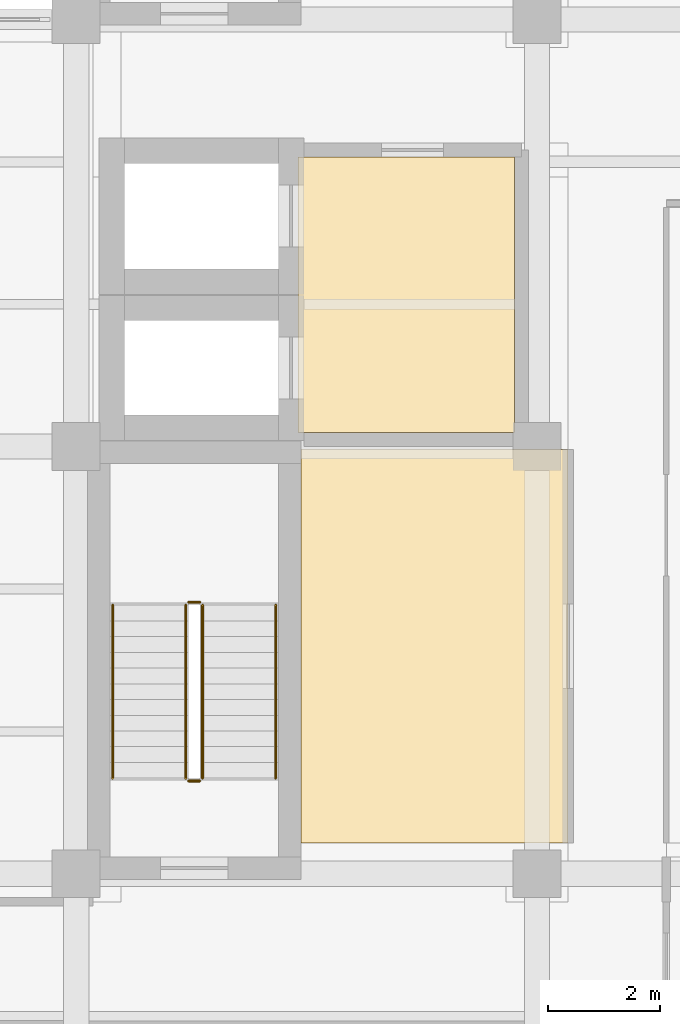
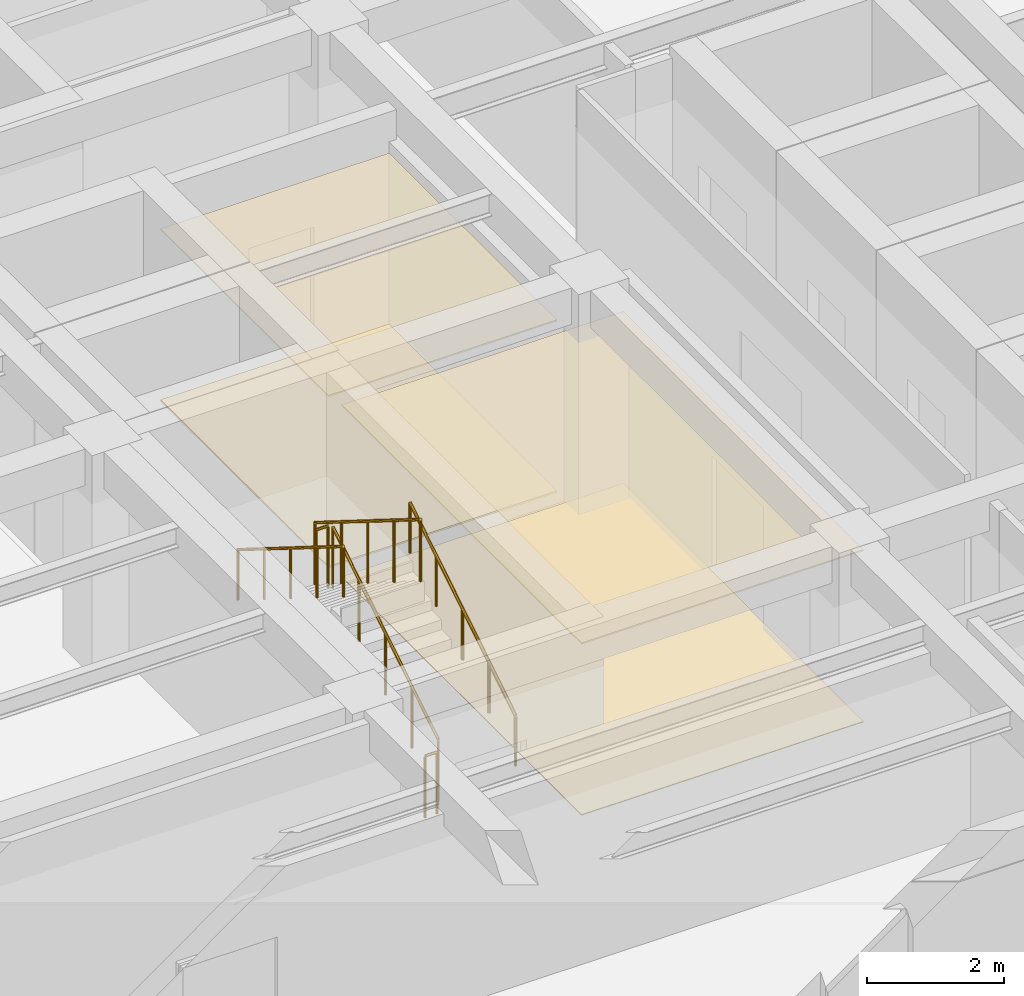
# One storey, part 13 of 17: 6 railings, 4 coverings.
"""IFC4 building model written with IfcOpenShell, lengths in metres."""

from ifc_helpers import new_model, si_unit, direction, frame, origin, origin_2d, place, context, subcontext, project, spatial, polyline, circle, outline, extrude, material, layer, layer_set, type_object, element, save


model = new_model("IFC4")

# Units and contexts
model_context = context("Model", 3, precision=1e-05, world=origin(), true_north=direction((0.0, 1.0)))
body_context = subcontext(model_context, "Body", "Model", "MODEL_VIEW")
ifc_project = project(units=[si_unit("LENGTHUNIT", "METRE"), si_unit("AREAUNIT", "SQUARE_METRE"), si_unit("VOLUMEUNIT", "CUBIC_METRE"), si_unit("PLANEANGLEUNIT", "RADIAN"), si_unit("MASSUNIT", "GRAM", prefix="KILO")], contexts=[model_context])

# Site, building, storey
site_placement = place(None, origin())
site = spatial("IfcSite", under=ifc_project, at=site_placement, CompositionType="ELEMENT")
building_placement = place(site_placement, origin())
building = spatial("IfcBuilding", under=site, at=building_placement, Name="Qandaris Square Conservatory and Botanical Centre", CompositionType="ELEMENT")
storey_placement = place(building_placement, frame((0.0, 0.0, 28.199951171875)))
storey = spatial("IfcBuildingStorey", under=building, at=storey_placement, Name="L06", CompositionType="ELEMENT", Elevation=28.199951171875)

# Coverings
ifc_material_1 = material(Name="Honed Qatari Limestone", Category="masonry")
ifc_layer_1 = layer(ifc_material_1, 0.030029296875)
ifc_layer_set_1 = layer_set([ifc_layer_1], Name="Honed Qatari Limestone")
covering_type_1 = type_object("IfcCoveringType", Name="Honed Qatari Limestone Concourse Paving", PredefinedType="FLOORING", material=ifc_layer_set_1)
covering_1_placement = place(storey_placement, origin())
element("IfcCovering", 1, at=covering_1_placement, inside=storey, type_object=covering_type_1, Name="Firefighting Lift Lobby L06 Flooring", PredefinedType="FLOORING", context=body_context, shape_type="SweptSolid", body=[
    extrude(outline(polyline([(143.14990234375, 36.949951171875), (147.0, 36.949951171875), (147.0, 32.050048828125), (143.14990234375, 32.050048828125), (143.14990234375, 36.949951171875)])), origin(), (0.0, 0.0, 1.0), 0.030029296875),
])
ifc_material_2 = material(Name="Gypsum Plasterboard", Category="gypsum")
ifc_layer_2 = layer(ifc_material_2, 0.02490234375)
ifc_layer_set_2 = layer_set([ifc_layer_2], Name="Gypsum Plasterboard")
covering_type_2 = type_object("IfcCoveringType", Name="Perforated Acoustic Lab Ceiling Tile", PredefinedType="CEILING", material=ifc_layer_set_2)
covering_2_placement = place(storey_placement, frame((0.0, 0.0, 3.050048828125)))
element("IfcCovering", 2, at=covering_2_placement, inside=storey, type_object=covering_type_2, Name="Firefighting Lift Lobby L06 Ceiling", PredefinedType="CEILING", context=body_context, shape_type="SweptSolid", body=[
    extrude(outline(polyline([(143.14990234375, 36.949951171875), (147.0, 36.949951171875), (147.0, 32.050048828125), (143.14990234375, 32.050048828125), (143.14990234375, 36.949951171875)])), origin(), (0.0, 0.0, 1.0), 0.02490234375),
])
covering_3_placement = place(storey_placement, frame((0.0, 0.0, 3.050048828125)))
element("IfcCovering", 3, at=covering_3_placement, inside=storey, type_object=covering_type_2, Name="Electrical and Telecom Riser Room L06 Ceiling", PredefinedType="CEILING", context=body_context, shape_type="SweptSolid", body=[
    extrude(outline(polyline([(147.949951171875, 31.75), (147.949951171875, 24.75), (143.199951171875, 24.75), (143.199951171875, 31.75), (147.949951171875, 31.75)])), origin(), (0.0, 0.0, 1.0), 0.02490234375),
])
ifc_material_3 = material(Name="Epoxy Resin Screed", Category="finish")
ifc_layer_3 = layer(ifc_material_3, 0.014892578125)
ifc_layer_set_3 = layer_set([ifc_layer_3], Name="Epoxy Resin Screed")
covering_type_3 = type_object("IfcCoveringType", Name="Seamless Epoxy Laboratory Flooring", PredefinedType="FLOORING", material=ifc_layer_set_3)
covering_4_placement = place(storey_placement, origin())
element("IfcCovering", 4, at=covering_4_placement, inside=storey, type_object=covering_type_3, Name="Electrical and Telecom Riser Room L06 Flooring", PredefinedType="FLOORING", context=body_context, shape_type="SweptSolid", body=[
    extrude(outline(polyline([(147.949951171875, 31.75), (147.949951171875, 24.75), (143.199951171875, 24.75), (143.199951171875, 31.75), (147.949951171875, 31.75)])), origin(), (0.0, 0.0, 1.0), 0.01513671875),
])

# Railings
ifc_material_4 = material(Name="Stainless Steel", Category="steel")
railing_type_1 = type_object("IfcRailingType", Name="Stair Tubular Handrail 920mm", PredefinedType="HANDRAIL", material=ifc_material_4)
railing_1_placement = place(storey_placement, frame((142.75, 25.89990234375, 0.35009765625)))
element("IfcRailing", 5, at=railing_1_placement, inside=storey, type_object=railing_type_1, Name="L06 ST-1 stair handrail 1", PredefinedType="HANDRAIL", context=body_context, shape_type="SweptSolid", body=[
    extrude(circle(Radius=0.02392578125, at=origin_2d()), frame((0.0, 0.0, 0.89599609375), z_axis=(0.0, 0.847998304005, 0.529998940003), x_axis=(-1.0, 0.0, 0.0)), (0.0, 0.0, 1.0), 3.632080078125),
    extrude(circle(Radius=0.02099609375, at=origin_2d()), origin(), (0.0, 0.0, 1.0), 0.871826171875),
    extrude(circle(Radius=0.02099609375, at=origin_2d()), frame((0.0, 0.77001953125, 0.481201171875)), (0.0, 0.0, 1.0), 0.871826171875),
    extrude(circle(Radius=0.02099609375, at=origin_2d()), frame((0.0, 1.5400390625, 0.96240234375)), (0.0, 0.0, 1.0), 0.871826171875),
    extrude(circle(Radius=0.02099609375, at=origin_2d()), frame((0.0, 2.31005859375, 1.44384765625)), (0.0, 0.0, 1.0), 0.871826171875),
    extrude(circle(Radius=0.02099609375, at=origin_2d()), frame((0.0, 3.080078125, 1.925048828125)), (0.0, 0.0, 1.0), 0.871826171875),
])
railing_2_placement = place(storey_placement, frame((139.85009765625, 28.97998046875, 2.449951171875)))
element("IfcRailing", 6, at=railing_2_placement, inside=storey, type_object=railing_type_1, Name="L06 ST-1 stair handrail 2", PredefinedType="HANDRAIL", context=body_context, shape_type="SweptSolid", body=[
    extrude(circle(Radius=0.02392578125, at=origin_2d()), frame((0.0, 0.0, 0.89599609375), z_axis=(0.0, -0.847998304005, 0.529998940003), x_axis=(1.0, 0.0, 0.0)), (0.0, 0.0, 1.0), 3.632080078125),
    extrude(circle(Radius=0.02099609375, at=origin_2d()), origin(), (0.0, 0.0, 1.0), 0.871826171875),
    extrude(circle(Radius=0.02099609375, at=origin_2d()), frame((0.0, -0.77001953125, 0.481201171875)), (0.0, 0.0, 1.0), 0.871826171875),
    extrude(circle(Radius=0.02099609375, at=origin_2d()), frame((0.0, -1.5400390625, 0.96240234375)), (0.0, 0.0, 1.0), 0.871826171875),
    extrude(circle(Radius=0.02099609375, at=origin_2d()), frame((0.0, -2.31005859375, 1.44384765625)), (0.0, 0.0, 1.0), 0.871826171875),
    extrude(circle(Radius=0.02099609375, at=origin_2d()), frame((0.0, -3.080078125, 1.925048828125)), (0.0, 0.0, 1.0), 0.871826171875),
])
railing_type_2 = type_object("IfcRailingType", Name="Stairwell & Atrium Guardrail 1120mm", PredefinedType="GUARDRAIL", material=ifc_material_4)
railing_3_placement = place(storey_placement, frame((141.449951171875, 25.89990234375, 0.175048828125)))
element("IfcRailing", 7, at=railing_3_placement, inside=storey, type_object=railing_type_2, Name="L06 ST-1 stair guard 1", PredefinedType="GUARDRAIL", context=body_context, shape_type="SweptSolid", body=[
    extrude(circle(Radius=0.02392578125, at=origin_2d()), frame((0.0, 0.0, 1.09619140625), z_axis=(0.0, 0.847998304005, 0.529998940003), x_axis=(-1.0, 0.0, 0.0)), (0.0, 0.0, 1.0), 3.632080078125),
    extrude(circle(Radius=0.02099609375, at=origin_2d()), origin(), (0.0, 0.0, 1.0), 1.072021484375),
    extrude(circle(Radius=0.02099609375, at=origin_2d()), frame((0.0, 0.77001953125, 0.481201171875)), (0.0, 0.0, 1.0), 1.072021484375),
    extrude(circle(Radius=0.02099609375, at=origin_2d()), frame((0.0, 1.5400390625, 0.96240234375)), (0.0, 0.0, 1.0), 1.072021484375),
    extrude(circle(Radius=0.02099609375, at=origin_2d()), frame((0.0, 2.31005859375, 1.44384765625)), (0.0, 0.0, 1.0), 1.072021484375),
    extrude(circle(Radius=0.02099609375, at=origin_2d()), frame((0.0, 3.080078125, 1.925048828125)), (0.0, 0.0, 1.0), 1.072021484375),
])
railing_4_placement = place(storey_placement, frame((141.39990234375, 29.030029296875, 2.10009765625)))
element("IfcRailing", 8, at=railing_4_placement, inside=storey, type_object=railing_type_2, Name="L06 ST-1 stair guard 2", PredefinedType="GUARDRAIL", context=body_context, shape_type="SweptSolid", body=[
    extrude(circle(Radius=0.02392578125, at=origin_2d()), frame((0.0, 0.0, 1.09619140625), z_axis=(-1.0, 0.0, 0.0), x_axis=(0.0, -1.0, 0.0)), (0.0, 0.0, 1.0), 0.199951171875),
    extrude(circle(Radius=0.02099609375, at=origin_2d()), origin(), (0.0, 0.0, 1.0), 1.072021484375),
    extrude(circle(Radius=0.02099609375, at=origin_2d()), frame((-0.199951171875, 0.0, 0.0)), (0.0, 0.0, 1.0), 1.072021484375),
])
railing_5_placement = place(storey_placement, frame((141.14990234375, 28.97998046875, 2.275146484375)))
element("IfcRailing", 9, at=railing_5_placement, inside=storey, type_object=railing_type_2, Name="L06 ST-1 stair guard 3", PredefinedType="GUARDRAIL", context=body_context, shape_type="SweptSolid", body=[
    extrude(circle(Radius=0.02392578125, at=origin_2d()), frame((0.0, 0.0, 1.09619140625), z_axis=(0.0, -0.848028513186, 0.529950602248), x_axis=(1.0, 0.0, 0.0)), (0.0, 0.0, 1.0), 3.632080078125),
    extrude(circle(Radius=0.02099609375, at=origin_2d()), origin(), (0.0, 0.0, 1.0), 1.072021484375),
    extrude(circle(Radius=0.02099609375, at=origin_2d()), frame((0.0, -0.77001953125, 0.481201171875)), (0.0, 0.0, 1.0), 1.072021484375),
    extrude(circle(Radius=0.02099609375, at=origin_2d()), frame((0.0, -1.5400390625, 0.96240234375)), (0.0, 0.0, 1.0), 1.072021484375),
    extrude(circle(Radius=0.02099609375, at=origin_2d()), frame((0.0, -2.31005859375, 1.443603515625)), (0.0, 0.0, 1.0), 1.072021484375),
    extrude(circle(Radius=0.02099609375, at=origin_2d()), frame((0.0, -3.080078125, 1.9248046875)), (0.0, 0.0, 1.0), 1.072021484375),
])
railing_6_placement = place(storey_placement, frame((141.39990234375, 25.85009765625, 0.0)))
element("IfcRailing", 10, at=railing_6_placement, inside=storey, type_object=railing_type_2, Name="L06 ST-1 stair guard 4", PredefinedType="GUARDRAIL", context=body_context, shape_type="SweptSolid", body=[
    extrude(circle(Radius=0.02392578125, at=origin_2d()), frame((0.0, 0.0, 1.09619140625), z_axis=(-1.0, 0.0, 0.0), x_axis=(0.0, -1.0, 0.0)), (0.0, 0.0, 1.0), 0.199951171875),
    extrude(circle(Radius=0.02099609375, at=origin_2d()), origin(), (0.0, 0.0, 1.0), 1.072021484375),
    extrude(circle(Radius=0.02099609375, at=origin_2d()), frame((-0.199951171875, 0.0, 0.0)), (0.0, 0.0, 1.0), 1.072021484375),
])

save(model, "model.ifc")
